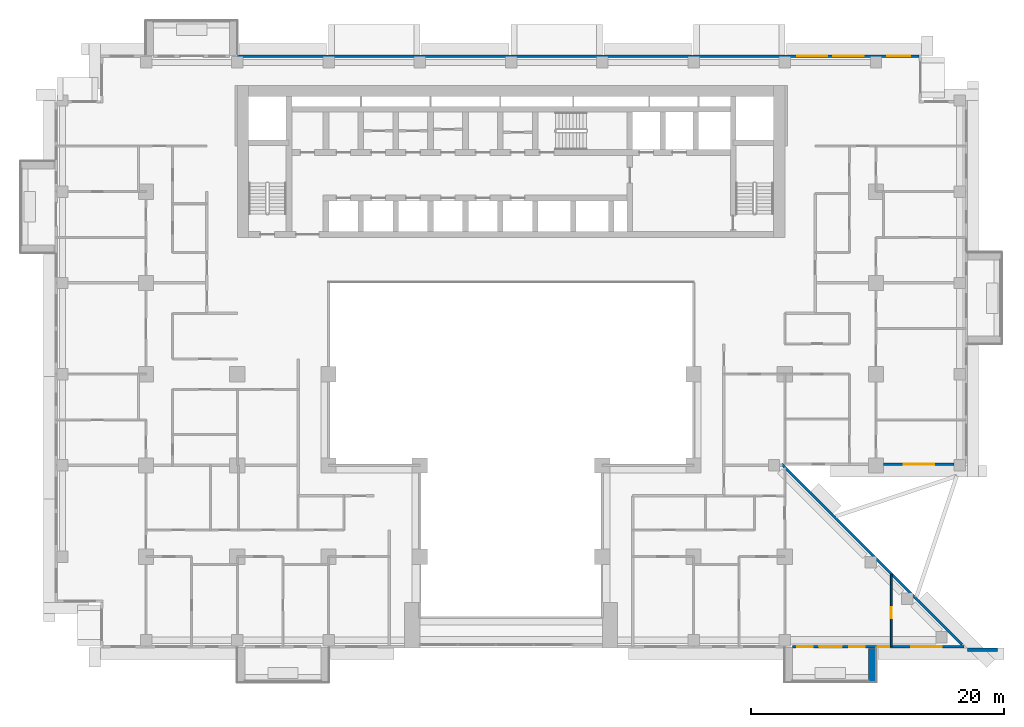
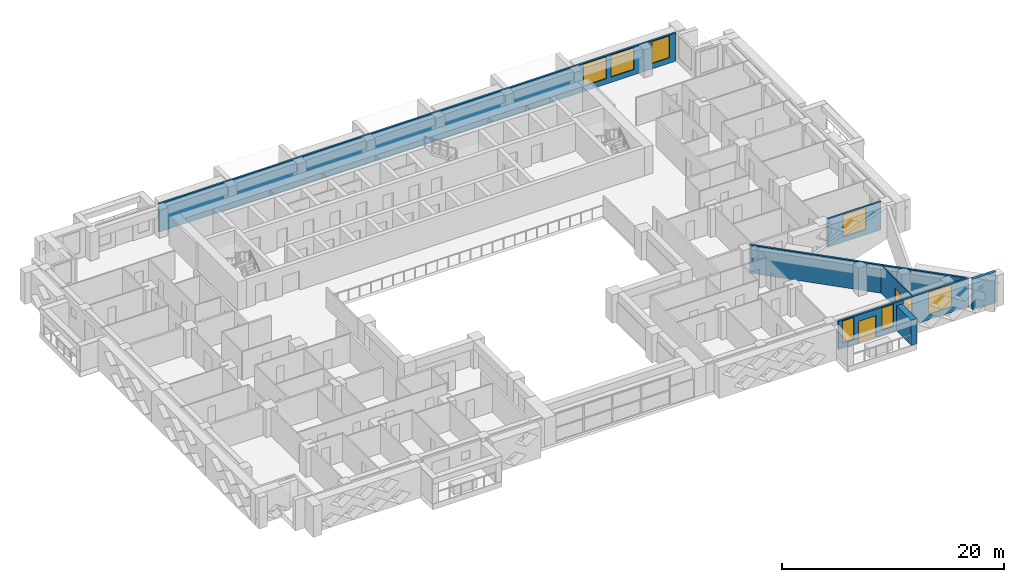
# One storey, part 11 of 17: 8 windows, 7 walls, 2 doors, 10 openings.
"""IFC4 building model written with IfcOpenShell, lengths in metres."""

from ifc_helpers import new_model, si_unit, direction, frame, frame_2d, origin, place, context, subcontext, project, spatial, rectangle, extrude, material, layer, layer_set, type_object, element, fill, save


model = new_model("IFC4")

# Units and contexts
model_context = context("Model", 3, precision=1e-05, world=origin(), true_north=direction((0.0, 1.0)))
body_context = subcontext(model_context, "Body", "Model", "MODEL_VIEW")
ifc_project = project(units=[si_unit("LENGTHUNIT", "METRE"), si_unit("AREAUNIT", "SQUARE_METRE"), si_unit("VOLUMEUNIT", "CUBIC_METRE"), si_unit("PLANEANGLEUNIT", "RADIAN"), si_unit("MASSUNIT", "GRAM", prefix="KILO")], contexts=[model_context])

# Site, building, storey
site_placement = place(None, origin())
site = spatial("IfcSite", under=ifc_project, at=site_placement, CompositionType="ELEMENT")
building_placement = place(site_placement, origin())
building = spatial("IfcBuilding", under=site, at=building_placement, Name="Saffron Iwan Residences", CompositionType="ELEMENT")
storey_placement = place(building_placement, frame((0.0, 0.0, 104.0)))
storey = spatial("IfcBuildingStorey", under=building, at=storey_placement, Name="L27", CompositionType="ELEMENT", Elevation=104.0)

# Walls
ifc_material_1 = material(Name="Concrete C50/60 white painted", Category="concrete")
ifc_layer_1 = layer(ifc_material_1, 0.60009765625)
ifc_layer_set_1 = layer_set([ifc_layer_1], Name="Concrete C50/60 white painted")
wall_type_1 = type_object("IfcWallType", Name="BALCONY FIN 600", PredefinedType="SOLIDWALL", material=ifc_layer_set_1)
wall_1_placement = place(storey_placement, frame((78.89990234375, 33.550048828125, 0.0), z_axis=(0.0, 0.0, 1.0), x_axis=(0.0, -1.0, 0.0)))
element("IfcWall", 1, at=wall_1_placement, inside=storey, type_object=wall_type_1, Name="Balcony fin L27 11-1b", PredefinedType="SOLIDWALL", context=body_context, shape_type="SweptSolid", body=[
    extrude(rectangle(XDim=2.650146484375, YDim=0.60009765625, at=frame_2d((1.3251953125, 0.0))), origin(), (0.0, 0.0, 1.0), 2.77001953125),
])
ifc_material_2 = material(Name="Concrete C40/50", Category="concrete")
ifc_layer_2 = layer(ifc_material_2, 0.199951171875)
ifc_layer_set_2 = layer_set([ifc_layer_2], Name="Concrete C40/50")
wall_type_2 = type_object("IfcWallType", Name="EXTERNAL WALL 200", PredefinedType="SOLIDWALL", material=ifc_layer_set_2)
wall_2_placement = place(storey_placement, frame((85.995849609375, 33.862548828125, 0.0), z_axis=(0.0, 0.0, 1.0), x_axis=(-0.707100718496, 0.707112843825, 0.0)))
element("IfcWall", 2, at=wall_2_placement, inside=storey, type_object=wall_type_2, Name="External wall L27 F0.0", PredefinedType="SOLIDWALL", context=body_context, shape_type="SweptSolid", body=[
    extrude(rectangle(XDim=20.134765625, YDim=0.199951171875, at=frame_2d((10.0673828125, 0.0))), origin(), (0.0, 0.0, 1.0), 3.10009765625),
])

# Wall, opening, window
wall_3_placement = place(storey_placement, frame((79.800048828125, 48.10009765625, 0.0), z_axis=(0.0, 0.0, 1.0), x_axis=(1.0, 0.0, 0.0)))
wall_3 = element("IfcWall", 3, at=wall_3_placement, inside=storey, type_object=wall_type_2, Name="External wall L27 F1.1", PredefinedType="SOLIDWALL", context=body_context, shape_type="SweptSolid", body=[
    extrude(rectangle(XDim=5.550048828125, YDim=0.199951171875, at=frame_2d((2.77490234375, 0.0))), origin(), (0.0, 0.0, 1.0), 3.10009765625),
])
opening_1_placement = place(wall_3_placement, frame((1.574951171875, 0.0, 0.60009765625)))
opening_1 = element("IfcOpeningElement", 4, at=opening_1_placement, cuts=wall_3, Name="Opening W1", PredefinedType="OPENING", context=body_context, shape_type="SweptSolid", body=[
    extrude(rectangle(XDim=2.39990234375, YDim=2.39990234375, at=frame_2d((1.199951171875, 1.199951171875))), frame((0.0, 0.10986328125, 0.0), z_axis=(0.0, -1.0, 0.0), x_axis=(1.0, 0.0, 0.0)), (0.0, 0.0, 1.0), 0.219970703125),
])
ifc_material_3 = material(Name="Clear glass, laminated double glazed", Category="glass")
window_type_1 = type_object("IfcWindowType", Name="WINDOW 2400 x 2400", PartitioningType="DOUBLE_PANEL_VERTICAL", PredefinedType="WINDOW", material=ifc_material_3)
window_1_placement = place(opening_1_placement, origin())
window_1 = element("IfcWindow", 5, at=window_1_placement, inside=storey, type_object=window_type_1, Name="Window L27 F1.0", OverallHeight=2.39990234375, OverallWidth=2.39990234375, PartitioningType="DOUBLE_PANEL_VERTICAL", PredefinedType="WINDOW", context=body_context, shape_type="SweptSolid", body=[
    extrude(rectangle(XDim=2.39990234375, YDim=2.39990234375, at=frame_2d((1.199951171875, 1.199951171875))), frame((0.0, 0.030029296875, 0.0), z_axis=(0.0, -1.0, 0.0), x_axis=(1.0, 0.0, 0.0)), (0.0, 0.0, 1.0), 0.06005859375),
])
fill(opening_1, window_1)

# Wall, openings, windows
wall_4_placement = place(storey_placement, frame((82.60009765625, 80.300048828125, 0.0), z_axis=(0.0, 0.0, 1.0), x_axis=(-1.0, 0.0, 0.0)))
wall_4 = element("IfcWall", 6, at=wall_4_placement, inside=storey, type_object=wall_type_2, Name="External wall L27 F5.0", PredefinedType="SOLIDWALL", context=body_context, shape_type="SweptSolid", body=[
    extrude(rectangle(XDim=53.800048828125, YDim=0.199951171875, at=frame_2d((26.89990234375, 0.0))), origin(), (0.0, 0.0, 1.0), 3.10009765625),
])
opening_2_placement = place(wall_4_placement, frame((0.699951171875, 0.0, 0.60009765625)))
opening_2 = element("IfcOpeningElement", 7, at=opening_2_placement, cuts=wall_4, Name="Opening W8", PredefinedType="OPENING", context=body_context, shape_type="SweptSolid", body=[
    extrude(rectangle(XDim=1.800048828125, YDim=2.39990234375, at=frame_2d((0.89990234375, 1.199951171875))), frame((0.0, 0.10986328125, 0.0), z_axis=(0.0, -1.0, 0.0), x_axis=(1.0, 0.0, 0.0)), (0.0, 0.0, 1.0), 0.219970703125),
])
opening_3_placement = place(wall_4_placement, frame((4.36669921875, 0.0, 0.60009765625)))
opening_3 = element("IfcOpeningElement", 8, at=opening_3_placement, cuts=wall_4, Name="Opening W1", PredefinedType="OPENING", context=body_context, shape_type="SweptSolid", body=[
    extrude(rectangle(XDim=2.39990234375, YDim=2.39990234375, at=frame_2d((1.199951171875, 1.199951171875))), frame((0.0, 0.10986328125, 0.0), z_axis=(0.0, -1.0, 0.0), x_axis=(1.0, 0.0, 0.0)), (0.0, 0.0, 1.0), 0.219970703125),
])
opening_4_placement = place(wall_4_placement, frame((7.2333984375, 0.0, 0.60009765625)))
opening_4 = element("IfcOpeningElement", 9, at=opening_4_placement, cuts=wall_4, Name="Opening W1", PredefinedType="OPENING", context=body_context, shape_type="SweptSolid", body=[
    extrude(rectangle(XDim=2.39990234375, YDim=2.39990234375, at=frame_2d((1.199951171875, 1.199951171875))), frame((0.0, 0.10986328125, 0.0), z_axis=(0.0, -1.0, 0.0), x_axis=(1.0, 0.0, 0.0)), (0.0, 0.0, 1.0), 0.219970703125),
])
window_type_2 = type_object("IfcWindowType", Name="WINDOW 1800 x 2400", PartitioningType="DOUBLE_PANEL_VERTICAL", PredefinedType="WINDOW", material=ifc_material_3)
window_2_placement = place(opening_2_placement, origin())
window_2 = element("IfcWindow", 10, at=window_2_placement, inside=storey, type_object=window_type_2, Name="Window L27 F5.0", OverallHeight=2.39990234375, OverallWidth=1.800048828125, PartitioningType="DOUBLE_PANEL_VERTICAL", PredefinedType="WINDOW", context=body_context, shape_type="SweptSolid", body=[
    extrude(rectangle(XDim=1.800048828125, YDim=2.39990234375, at=frame_2d((0.89990234375, 1.199951171875))), frame((0.0, 0.030029296875, 0.0), z_axis=(0.0, -1.0, 0.0), x_axis=(1.0, 0.0, 0.0)), (0.0, 0.0, 1.0), 0.06005859375),
])
fill(opening_2, window_2)
window_3_placement = place(opening_3_placement, origin())
window_3 = element("IfcWindow", 11, at=window_3_placement, inside=storey, type_object=window_type_1, Name="Window L27 F5.1", OverallHeight=2.39990234375, OverallWidth=2.39990234375, PartitioningType="DOUBLE_PANEL_VERTICAL", PredefinedType="WINDOW", context=body_context, shape_type="SweptSolid", body=[
    extrude(rectangle(XDim=2.39990234375, YDim=2.39990234375, at=frame_2d((1.199951171875, 1.199951171875))), frame((0.0, 0.030029296875, 0.0), z_axis=(0.0, -1.0, 0.0), x_axis=(1.0, 0.0, 0.0)), (0.0, 0.0, 1.0), 0.06005859375),
])
fill(opening_3, window_3)
window_4_placement = place(opening_4_placement, origin())
window_4 = element("IfcWindow", 12, at=window_4_placement, inside=storey, type_object=window_type_1, Name="Window L27 F5.2", OverallHeight=2.39990234375, OverallWidth=2.39990234375, PartitioningType="DOUBLE_PANEL_VERTICAL", PredefinedType="WINDOW", context=body_context, shape_type="SweptSolid", body=[
    extrude(rectangle(XDim=2.39990234375, YDim=2.39990234375, at=frame_2d((1.199951171875, 1.199951171875))), frame((0.0, 0.030029296875, 0.0), z_axis=(0.0, -1.0, 0.0), x_axis=(1.0, 0.0, 0.0)), (0.0, 0.0, 1.0), 0.06005859375),
])
fill(opening_4, window_4)

# Wall, openings, door, windows
wall_5_placement = place(storey_placement, frame((72.60009765625, 33.699951171875, 0.0), z_axis=(0.0, 0.0, 1.0), x_axis=(1.0, 0.0, 0.0)))
wall_5 = element("IfcWall", 13, at=wall_5_placement, inside=storey, type_object=wall_type_2, Name="External wall L27 F11.4", PredefinedType="SOLIDWALL", context=body_context, shape_type="SweptSolid", body=[
    extrude(rectangle(XDim=13.55859375, YDim=0.199951171875, at=frame_2d((6.779296875, 0.0))), origin(), (0.0, 0.0, 1.0), 3.10009765625),
])
opening_5_placement = place(wall_5_placement, frame((2.10009765625, 0.0, 0.0)))
opening_5 = element("IfcOpeningElement", 14, at=opening_5_placement, cuts=wall_5, Name="Opening BD1", PredefinedType="OPENING", context=body_context, shape_type="SweptSolid", body=[
    extrude(rectangle(XDim=1.800048828125, YDim=2.39990234375, at=frame_2d((0.89990234375, 1.199951171875))), frame((0.0, 0.10986328125, 0.0), z_axis=(0.0, -1.0, 0.0), x_axis=(1.0, 0.0, 0.0)), (0.0, 0.0, 1.0), 0.219970703125),
])
opening_6_placement = place(wall_5_placement, frame((0.39990234375, 0.0, 0.60009765625)))
opening_6 = element("IfcOpeningElement", 15, at=opening_6_placement, cuts=wall_5, Name="Opening W3", PredefinedType="OPENING", context=body_context, shape_type="SweptSolid", body=[
    extrude(rectangle(XDim=1.199951171875, YDim=2.39990234375, at=frame_2d((0.60009765625, 1.199951171875))), frame((0.0, 0.10986328125, 0.0), z_axis=(0.0, -1.0, 0.0), x_axis=(1.0, 0.0, 0.0)), (0.0, 0.0, 1.0), 0.219970703125),
])
opening_7_placement = place(wall_5_placement, frame((4.5, 0.0, 0.60009765625)))
opening_7 = element("IfcOpeningElement", 16, at=opening_7_placement, cuts=wall_5, Name="Opening W3", PredefinedType="OPENING", context=body_context, shape_type="SweptSolid", body=[
    extrude(rectangle(XDim=1.199951171875, YDim=2.39990234375, at=frame_2d((0.60009765625, 1.199951171875))), frame((0.0, 0.10986328125, 0.0), z_axis=(0.0, -1.0, 0.0), x_axis=(1.0, 0.0, 0.0)), (0.0, 0.0, 1.0), 0.219970703125),
])
opening_8_placement = place(wall_5_placement, frame((6.75, 0.0, 0.60009765625)))
opening_8 = element("IfcOpeningElement", 17, at=opening_8_placement, cuts=wall_5, Name="Opening W10", PredefinedType="OPENING", context=body_context, shape_type="SweptSolid", body=[
    extrude(rectangle(XDim=0.89990234375, YDim=2.39990234375, at=frame_2d((0.449951171875, 1.199951171875))), frame((0.0, 0.10986328125, 0.0), z_axis=(0.0, -1.0, 0.0), x_axis=(1.0, 0.0, 0.0)), (0.0, 0.0, 1.0), 0.219970703125),
])
opening_9_placement = place(wall_5_placement, frame((9.37939453125, 0.0, 0.60009765625)))
opening_9 = element("IfcOpeningElement", 18, at=opening_9_placement, cuts=wall_5, Name="Opening W1", PredefinedType="OPENING", context=body_context, shape_type="SweptSolid", body=[
    extrude(rectangle(XDim=2.39990234375, YDim=2.39990234375, at=frame_2d((1.199951171875, 1.199951171875))), frame((0.0, 0.10986328125, 0.0), z_axis=(0.0, -1.0, 0.0), x_axis=(1.0, 0.0, 0.0)), (0.0, 0.0, 1.0), 0.219970703125),
])
door_type_1 = type_object("IfcDoorType", Name="BALCONY DOOR 1800 x 2400", OperationType="DOUBLE_DOOR_SLIDING", PredefinedType="DOOR", material=ifc_material_3)
door_1_placement = place(opening_5_placement, origin())
door_1 = element("IfcDoor", 19, at=door_1_placement, inside=storey, type_object=door_type_1, Name="Balcony door L27 F11.0", OperationType="DOUBLE_DOOR_SLIDING", OverallHeight=2.39990234375, OverallWidth=1.800048828125, PredefinedType="DOOR", context=body_context, shape_type="SweptSolid", body=[
    extrude(rectangle(XDim=1.800048828125, YDim=2.39990234375, at=frame_2d((0.89990234375, 1.199951171875))), frame((0.0, 0.02490234375, 0.0), z_axis=(0.0, -1.0, 0.0), x_axis=(1.0, 0.0, 0.0)), (0.0, 0.0, 1.0), 0.050048828125),
])
fill(opening_5, door_1)
window_type_3 = type_object("IfcWindowType", Name="WINDOW 1200 x 2400", PartitioningType="SINGLE_PANEL", PredefinedType="WINDOW", material=ifc_material_3)
window_5_placement = place(opening_6_placement, origin())
window_5 = element("IfcWindow", 20, at=window_5_placement, inside=storey, type_object=window_type_3, Name="Window L27 F11.1", OverallHeight=2.39990234375, OverallWidth=1.199951171875, PartitioningType="SINGLE_PANEL", PredefinedType="WINDOW", context=body_context, shape_type="SweptSolid", body=[
    extrude(rectangle(XDim=1.199951171875, YDim=2.39990234375, at=frame_2d((0.60009765625, 1.199951171875))), frame((0.0, 0.030029296875, 0.0), z_axis=(0.0, -1.0, 0.0), x_axis=(1.0, 0.0, 0.0)), (0.0, 0.0, 1.0), 0.06005859375),
])
fill(opening_6, window_5)
window_6_placement = place(opening_7_placement, origin())
window_6 = element("IfcWindow", 21, at=window_6_placement, inside=storey, type_object=window_type_3, Name="Window L27 F11.2", OverallHeight=2.39990234375, OverallWidth=1.199951171875, PartitioningType="SINGLE_PANEL", PredefinedType="WINDOW", context=body_context, shape_type="SweptSolid", body=[
    extrude(rectangle(XDim=1.199951171875, YDim=2.39990234375, at=frame_2d((0.60009765625, 1.199951171875))), frame((0.0, 0.030029296875, 0.0), z_axis=(0.0, -1.0, 0.0), x_axis=(1.0, 0.0, 0.0)), (0.0, 0.0, 1.0), 0.06005859375),
])
fill(opening_7, window_6)
window_7_placement = place(opening_9_placement, origin())
window_7 = element("IfcWindow", 22, at=window_7_placement, inside=storey, type_object=window_type_1, Name="Window L27 F11.4", OverallHeight=2.39990234375, OverallWidth=2.39990234375, PartitioningType="DOUBLE_PANEL_VERTICAL", PredefinedType="WINDOW", context=body_context, shape_type="SweptSolid", body=[
    extrude(rectangle(XDim=2.39990234375, YDim=2.39990234375, at=frame_2d((1.199951171875, 1.199951171875))), frame((0.0, 0.030029296875, 0.0), z_axis=(0.0, -1.0, 0.0), x_axis=(1.0, 0.0, 0.0)), (0.0, 0.0, 1.0), 0.06005859375),
])
fill(opening_9, window_7)
window_type_4 = type_object("IfcWindowType", Name="WINDOW 900 x 2400", PartitioningType="SINGLE_PANEL", PredefinedType="WINDOW", material=ifc_material_3)
window_8_placement = place(opening_8_placement, origin())
window_8 = element("IfcWindow", 23, at=window_8_placement, inside=storey, type_object=window_type_4, Name="Window L27 F11.3", OverallHeight=2.39990234375, OverallWidth=0.89990234375, PartitioningType="SINGLE_PANEL", PredefinedType="WINDOW", context=body_context, shape_type="SweptSolid", body=[
    extrude(rectangle(XDim=0.89990234375, YDim=2.39990234375, at=frame_2d((0.449951171875, 1.199951171875))), frame((0.0, 0.030029296875, 0.0), z_axis=(0.0, -1.0, 0.0), x_axis=(1.0, 0.0, 0.0)), (0.0, 0.0, 1.0), 0.06005859375),
])
fill(opening_8, window_8)

# Wall, opening, door
ifc_material_4 = material(Name="Gypsum board partition")
ifc_layer_3 = layer(ifc_material_4, 0.1201171875)
ifc_layer_set_3 = layer_set([ifc_layer_3], Name="Gypsum board partition")
wall_type_3 = type_object("IfcWallType", Name="Flat partition 120", PredefinedType="PARTITIONING", material=ifc_layer_set_3)
wall_6_placement = place(storey_placement, frame((80.39990234375, 33.72509765625, 0.0), z_axis=(0.0, 0.0, 1.0), x_axis=(0.0, 1.0, 0.0)))
wall_6 = element("IfcWall", 24, at=wall_6_placement, inside=storey, type_object=wall_type_3, Name="W-L27-PART-v80.4-33.725", PredefinedType="PARTITIONING", context=body_context, shape_type="SweptSolid", body=[
    extrude(rectangle(XDim=5.697998046875, YDim=0.1201171875, at=frame_2d((2.84912109375, 0.0))), origin(), (0.0, 0.0, 1.0), 3.10009765625),
])
opening_10_placement = place(wall_6_placement, frame((2.198974609375, 0.0, 0.0)))
opening_10 = element("IfcOpeningElement", 25, at=opening_10_placement, cuts=wall_6, Name="Opening FD2", PredefinedType="OPENING", context=body_context, shape_type="SweptSolid", body=[
    extrude(rectangle(XDim=0.89990234375, YDim=2.10009765625, at=frame_2d((0.449951171875, 1.050048828125))), frame((0.0, 0.070068359375, 0.0), z_axis=(0.0, -1.0, 0.0), x_axis=(1.0, 0.0, 0.0)), (0.0, 0.0, 1.0), 0.14013671875),
])
ifc_material_5 = material(Name="Timber door", Category="wood")
door_type_2 = type_object("IfcDoorType", Name="Flat door 900", OperationType="NOTDEFINED", PredefinedType="DOOR", material=ifc_material_5)
door_2_placement = place(opening_10_placement, origin())
door_2 = element("IfcDoor", 26, at=door_2_placement, inside=storey, type_object=door_type_2, Name="Door L27-050", OperationType="SINGLE_SWING_RIGHT", OverallHeight=2.10009765625, OverallWidth=0.89990234375, PredefinedType="DOOR", context=body_context, shape_type="SweptSolid", body=[
    extrude(rectangle(XDim=0.89990234375, YDim=2.10009765625, at=frame_2d((0.449951171875, 1.050048828125))), frame((0.0, 0.02490234375, 0.0), z_axis=(0.0, -1.0, 0.0), x_axis=(1.0, 0.0, 0.0)), (0.0, 0.0, 1.0), 0.050048828125),
])
fill(opening_10, door_2)

# Wall
ifc_layer_4 = layer(ifc_material_1, 0.300048828125)
ifc_layer_set_4 = layer_set([ifc_layer_4], Name="Concrete C50/60 white painted")
wall_type_4 = type_object("IfcWallType", Name="PROW BLADE 300", PredefinedType="SOLIDWALL", material=ifc_layer_set_4)
wall_7_placement = place(storey_placement, frame((86.39990234375, 33.449951171875, -0.320068359375), z_axis=(0.0, 0.0, 1.0), x_axis=(1.0, 0.0, 0.0)))
element("IfcWall", 27, at=wall_7_placement, inside=storey, type_object=wall_type_4, Name="Prow blade L27", PredefinedType="SOLIDWALL", context=body_context, shape_type="SweptSolid", body=[
    extrude(rectangle(XDim=2.400146484375, YDim=0.300048828125, at=frame_2d((1.2001953125, 0.0))), origin(), (0.0, 0.0, 1.0), 3.420166015625),
])

save(model, "model.ifc")
